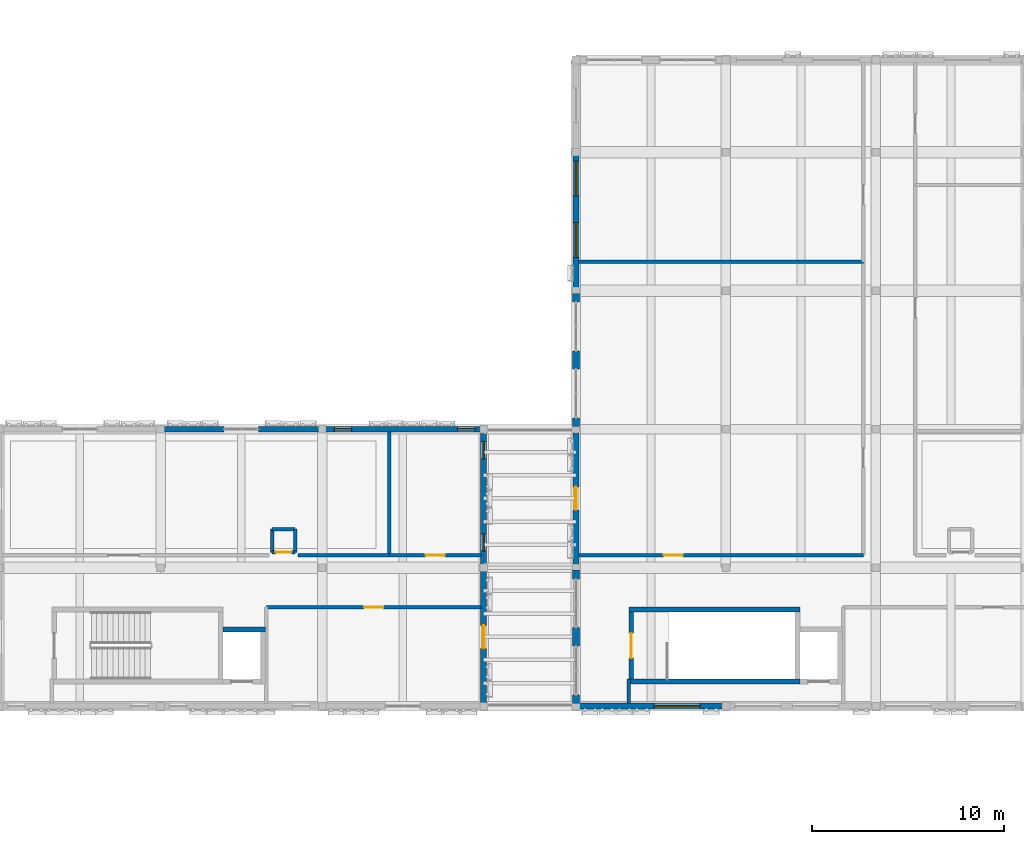
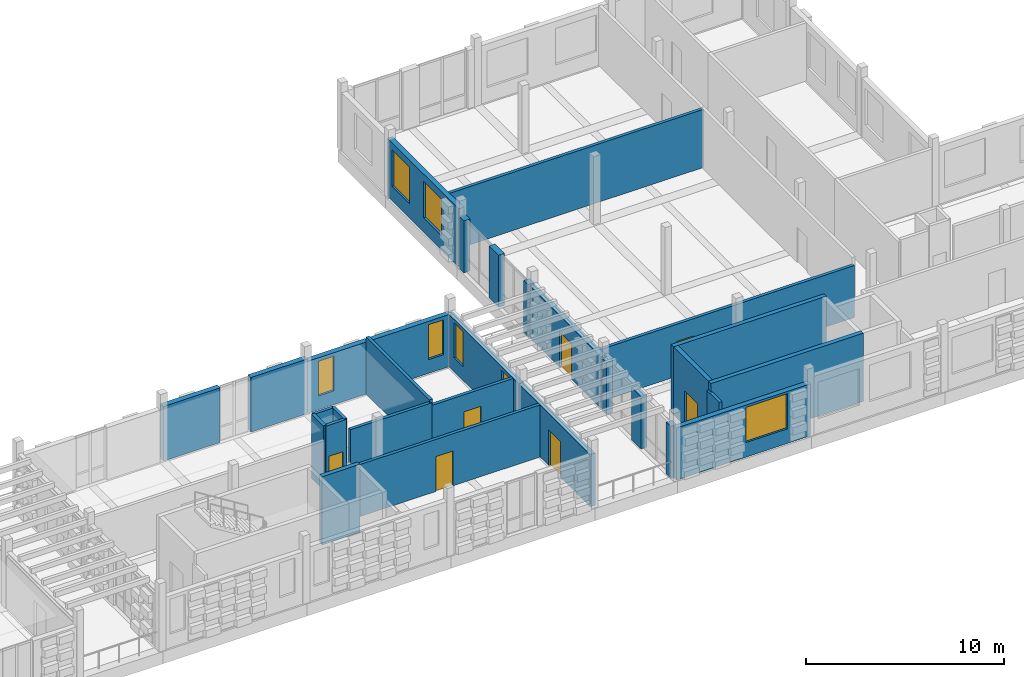
# One storey, part 68 of 99: 29 walls, 7 doors, 7 windows, 14 openings.
"""IFC4 building model written with IfcOpenShell, lengths in metres."""

from ifc_helpers import new_model, si_unit, direction, frame, frame_2d, origin, place, context, subcontext, project, spatial, rectangle, extrude, material, layer, layer_set, type_object, element, fill, save


model = new_model("IFC4")

# Units and contexts
model_context = context("Model", 3, precision=1e-05, world=origin(), true_north=direction((0.0, 1.0)))
body_context = subcontext(model_context, "Body", "Model", "MODEL_VIEW")
ifc_project = project(units=[si_unit("LENGTHUNIT", "METRE"), si_unit("AREAUNIT", "SQUARE_METRE"), si_unit("VOLUMEUNIT", "CUBIC_METRE"), si_unit("PLANEANGLEUNIT", "RADIAN"), si_unit("MASSUNIT", "GRAM", prefix="KILO")], contexts=[model_context])

# Site, building, storey
site_placement = place(None, origin())
site = spatial("IfcSite", under=ifc_project, at=site_placement, CompositionType="ELEMENT")
building_placement = place(site_placement, origin())
building = spatial("IfcBuilding", under=site, at=building_placement, Name="Kahlenmark Community Centre", CompositionType="ELEMENT")
storey_placement = place(building_placement, frame((0.0, 0.0, 5.39990234375)))
storey = spatial("IfcBuildingStorey", under=building, at=storey_placement, Name="L01", CompositionType="ELEMENT", Elevation=5.39990234375)

# Wall
ifc_material_1 = material(Name="Concrete C35/45", Category="concrete")
ifc_layer_1 = layer(ifc_material_1, 0.25)
ifc_layer_set_1 = layer_set([ifc_layer_1], Name="Concrete C35/45")
wall_type_1 = type_object("IfcWallType", Name="WT-CORE-250", PredefinedType="SHEAR", material=ifc_layer_set_1)
wall_1_placement = place(storey_placement, frame((103.25, 12.784912109375, 0.0), z_axis=(0.0, 0.0, 1.0), x_axis=(1.0, 0.0, 0.0)))
element("IfcWall", 1, at=wall_1_placement, inside=storey, type_object=wall_type_1, Name="Core K7 shear wall WL-CORE-K7-L01-0264", PredefinedType="SHEAR", context=body_context, shape_type="SweptSolid", body=[
    extrude(rectangle(XDim=2.2099609375, YDim=0.25, at=frame_2d((1.10498046875, 0.0))), origin(), (0.0, 0.0, 1.0), 4.2001953125),
])

# Wall, opening, door
wall_2_placement = place(storey_placement, frame((124.47509765625, 13.699951171875, 0.0), z_axis=(0.0, 0.0, 1.0), x_axis=(0.0, -1.0, 0.0)))
wall_2 = element("IfcWall", 2, at=wall_2_placement, inside=storey, type_object=wall_type_1, Name="Core K8 shear wall WL-CORE-K8-L01-0295", PredefinedType="SHEAR", context=body_context, shape_type="SweptSolid", body=[
    extrude(rectangle(XDim=3.5, YDim=0.25, at=frame_2d((1.75, 0.0))), origin(), (0.0, 0.0, 1.0), 4.2001953125),
])
opening_1_placement = place(wall_2_placement, frame((1.10009765625, 0.0, -0.010009765625)))
opening_1 = element("IfcOpeningElement", 3, at=opening_1_placement, cuts=wall_2, Name="Opening FD-K8-L01", PredefinedType="OPENING", context=body_context, shape_type="SweptSolid", body=[
    extrude(rectangle(XDim=1.300048828125, YDim=2.159912109375, at=frame_2d((0.64990234375, 1.080078125))), frame((0.0, 0.135009765625, 0.0), z_axis=(0.0, -1.0, 0.0), x_axis=(1.0, 0.0, 0.0)), (0.0, 0.0, 1.0), 0.27001953125),
])
ifc_material_2 = material(Name="Fire-rated steel-framed timber door FD60S", Category="steel")
door_type_1 = type_object("IfcDoorType", Name="DT-FD-K8-L01", OperationType="NOTDEFINED", PredefinedType="DOOR", material=ifc_material_2)
door_1_placement = place(opening_1_placement, frame((1.300048828125, 0.0, 0.010009765625), z_axis=(0.0, 0.0, 1.0), x_axis=(-1.0, 0.0, 0.0)))
door_1 = element("IfcDoor", 4, at=door_1_placement, inside=storey, type_object=door_type_1, Name="Core K8 stair fire door L01", OperationType="SINGLE_SWING_LEFT", OverallHeight=2.14990234375, OverallWidth=1.300048828125, PredefinedType="DOOR", context=body_context, shape_type="SweptSolid", body=[
    extrude(rectangle(XDim=1.300048828125, YDim=2.14990234375, at=frame_2d((0.64990234375, 1.074951171875))), frame((0.0, 0.02490234375, 0.0), z_axis=(0.0, -1.0, 0.0), x_axis=(1.0, 0.0, 0.0)), (0.0, 0.0, 1.0), 0.050048828125),
])
fill(opening_1, door_1)

# Walls
for number, where, z_axis, x_axis, name in (
    (5, (124.35009765625, 10.074951171875, 0.0), (0.0, 0.0, 1.0), (1.0, 0.0, 0.0), "Core K8 shear wall WL-CORE-K8-L01-0296"),
    (6, (124.35009765625, 13.824951171875, 0.0), (0.0, 0.0, 1.0), (1.0, 0.0, 0.0), "Core K8 shear wall WL-CORE-K8-L01-0297"),
):
    element("IfcWall", number, at=place(storey_placement, frame(where, z_axis=z_axis, x_axis=x_axis)), inside=storey, type_object=wall_type_1, Name=name, PredefinedType="SHEAR", context=body_context, shape_type="SweptSolid", body=[
        extrude(rectangle(XDim=8.89990234375, YDim=0.25, at=frame_2d((4.449951171875, 0.0))), origin(), (0.0, 0.0, 1.0), 4.2001953125),
    ])
ifc_material_3 = material(Name="Cross-laminated timber CLT C24", Category="wood")
ifc_layer_2 = layer(ifc_material_3, 0.300048828125)
ifc_layer_set_2 = layer_set([ifc_layer_2], Name="Cross-laminated timber CLT C24")
wall_type_2 = type_object("IfcWallType", Name="WT-EW-300", PredefinedType="SOLIDWALL", material=ifc_layer_set_2)
wall_3_placement = place(storey_placement, frame((108.39990234375, 23.199951171875, 0.0), z_axis=(0.0, 0.0, 1.0), x_axis=(-1.0, 0.0, 0.0)))
element("IfcWall", 7, at=wall_3_placement, inside=storey, type_object=wall_type_2, Name="Basketweave backup wall WL-EXT-L01-0374", PredefinedType="SOLIDWALL", context=body_context, shape_type="SweptSolid", body=[
    extrude(rectangle(XDim=3.2998046875, YDim=0.300048828125, at=frame_2d((1.64990234375, 0.0))), origin(), (0.0, 0.0, 1.0), 3.3701171875),
])
wall_4_placement = place(storey_placement, frame((103.300048828125, 23.199951171875, 0.0), z_axis=(0.0, 0.0, 1.0), x_axis=(-1.0, 0.0, 0.0)))
element("IfcWall", 8, at=wall_4_placement, inside=storey, type_object=wall_type_2, Name="Basketweave backup wall WL-EXT-L01-0375", PredefinedType="SOLIDWALL", context=body_context, shape_type="SweptSolid", body=[
    extrude(rectangle(XDim=3.300048828125, YDim=0.300048828125, at=frame_2d((1.64990234375, 0.0))), origin(), (0.0, 0.0, 1.0), 3.3701171875),
])

# Wall, openings, windows
wall_5_placement = place(storey_placement, frame((116.800048828125, 23.199951171875, 0.0), z_axis=(0.0, 0.0, 1.0), x_axis=(-1.0, 0.0, 0.0)))
wall_5 = element("IfcWall", 9, at=wall_5_placement, inside=storey, type_object=wall_type_2, Name="Exterior wall WL-EXT-L01-0376", PredefinedType="SOLIDWALL", context=body_context, shape_type="SweptSolid", body=[
    extrude(rectangle(XDim=8.400146484375, YDim=0.300048828125, at=frame_2d((4.2001953125, 0.0))), origin(), (0.0, 0.0, 1.0), 3.210205078125),
])
opening_2_placement = place(wall_5_placement, frame((0.4599609375, 0.0, 0.85009765625)))
opening_2 = element("IfcOpeningElement", 10, at=opening_2_placement, cuts=wall_5, Name="Opening W-090X215", PredefinedType="OPENING", context=body_context, shape_type="SweptSolid", body=[
    extrude(rectangle(XDim=0.89990234375, YDim=2.14990234375, at=frame_2d((0.449951171875, 1.074951171875))), frame((0.0, 0.159912109375, 0.0), z_axis=(0.0, -1.0, 0.0), x_axis=(1.0, 0.0, 0.0)), (0.0, 0.0, 1.0), 0.320068359375),
])
opening_3_placement = place(wall_5_placement, frame((6.860107421875, 0.0, 0.85009765625)))
opening_3 = element("IfcOpeningElement", 11, at=opening_3_placement, cuts=wall_5, Name="Opening W-090X215", PredefinedType="OPENING", context=body_context, shape_type="SweptSolid", body=[
    extrude(rectangle(XDim=0.89990234375, YDim=2.14990234375, at=frame_2d((0.449951171875, 1.074951171875))), frame((0.0, 0.159912109375, 0.0), z_axis=(0.0, -1.0, 0.0), x_axis=(1.0, 0.0, 0.0)), (0.0, 0.0, 1.0), 0.320068359375),
])
ifc_material_4 = material(Name="Recessed basketweave aperture triple glazing", Category="glass")
window_type_1 = type_object("IfcWindowType", Name="WNT-090X215", PartitioningType="SINGLE_PANEL", PredefinedType="WINDOW", material=ifc_material_4)
window_1_placement = place(opening_2_placement, origin())
window_1 = element("IfcWindow", 12, at=window_1_placement, inside=storey, type_object=window_type_1, Name="Window W-090X215 #0229", OverallHeight=2.14990234375, OverallWidth=0.89990234375, PartitioningType="SINGLE_PANEL", PredefinedType="WINDOW", context=body_context, shape_type="SweptSolid", body=[
    extrude(rectangle(XDim=0.89990234375, YDim=2.14990234375, at=frame_2d((0.449951171875, 1.074951171875))), frame((0.0, 0.030029296875, 0.0), z_axis=(0.0, -1.0, 0.0), x_axis=(1.0, 0.0, 0.0)), (0.0, 0.0, 1.0), 0.06005859375),
])
fill(opening_2, window_1)
window_2_placement = place(opening_3_placement, origin())
window_2 = element("IfcWindow", 13, at=window_2_placement, inside=storey, type_object=window_type_1, Name="Window W-090X215 #0230", OverallHeight=2.14990234375, OverallWidth=0.89990234375, PartitioningType="SINGLE_PANEL", PredefinedType="WINDOW", context=body_context, shape_type="SweptSolid", body=[
    extrude(rectangle(XDim=0.89990234375, YDim=2.14990234375, at=frame_2d((0.449951171875, 1.074951171875))), frame((0.0, 0.030029296875, 0.0), z_axis=(0.0, -1.0, 0.0), x_axis=(1.0, 0.0, 0.0)), (0.0, 0.0, 1.0), 0.06005859375),
])
fill(opening_3, window_2)

# Wall, opening, door
wall_6_placement = place(storey_placement, frame((116.800048828125, 8.800048828125, 0.0), z_axis=(0.0, 0.0, 1.0), x_axis=(0.0, 1.0, 0.0)))
wall_6 = element("IfcWall", 14, at=wall_6_placement, inside=storey, type_object=wall_type_2, Name="Exterior wall WL-EXT-L01-0380", PredefinedType="SOLIDWALL", context=body_context, shape_type="SweptSolid", body=[
    extrude(rectangle(XDim=7.199951171875, YDim=0.300048828125, at=frame_2d((3.60009765625, 0.0))), origin(), (0.0, 0.0, 1.0), 3.210205078125),
])
opening_4_placement = place(wall_6_placement, frame((3.0, 0.0, -0.010009765625)))
opening_4 = element("IfcOpeningElement", 15, at=opening_4_placement, cuts=wall_6, Name="Opening D-TER05", PredefinedType="OPENING", context=body_context, shape_type="SweptSolid", body=[
    extrude(rectangle(XDim=1.199951171875, YDim=2.2099609375, at=frame_2d((0.60009765625, 1.10498046875))), frame((0.0, 0.159912109375, 0.0), z_axis=(0.0, -1.0, 0.0), x_axis=(1.0, 0.0, 0.0)), (0.0, 0.0, 1.0), 0.320068359375),
])
ifc_material_5 = material(Name="Thermally broken glazed aluminium terrace door", Category="aluminium")
door_type_2 = type_object("IfcDoorType", Name="DT-EXT-120X220", OperationType="NOTDEFINED", PredefinedType="DOOR", material=ifc_material_5)
door_2_placement = place(opening_4_placement, frame((0.0, 0.0, 0.010009765625)))
door_2 = element("IfcDoor", 16, at=door_2_placement, inside=storey, type_object=door_type_2, Name="Exterior door D-TER05", OperationType="SINGLE_SWING_RIGHT", OverallHeight=2.199951171875, OverallWidth=1.199951171875, PredefinedType="DOOR", context=body_context, shape_type="SweptSolid", body=[
    extrude(rectangle(XDim=1.199951171875, YDim=2.199951171875, at=frame_2d((0.60009765625, 1.10009765625))), frame((0.0, 0.02490234375, 0.0), z_axis=(0.0, -1.0, 0.0), x_axis=(1.0, 0.0, 0.0)), (0.0, 0.0, 1.0), 0.050048828125),
])
fill(opening_4, door_2)

# Wall, openings, windows
wall_7_placement = place(storey_placement, frame((116.800048828125, 16.0, 0.0), z_axis=(0.0, 0.0, 1.0), x_axis=(0.0, 1.0, 0.0)))
wall_7 = element("IfcWall", 17, at=wall_7_placement, inside=storey, type_object=wall_type_2, Name="Exterior wall WL-EXT-L01-0381", PredefinedType="SOLIDWALL", context=body_context, shape_type="SweptSolid", body=[
    extrude(rectangle(XDim=7.199951171875, YDim=0.300048828125, at=frame_2d((3.60009765625, 0.0))), origin(), (0.0, 0.0, 1.0), 3.210205078125),
])
opening_5_placement = place(wall_7_placement, frame((0.860107421875, 0.0, 0.85009765625)))
opening_5 = element("IfcOpeningElement", 18, at=opening_5_placement, cuts=wall_7, Name="Opening W-090X215", PredefinedType="OPENING", context=body_context, shape_type="SweptSolid", body=[
    extrude(rectangle(XDim=0.89990234375, YDim=2.14990234375, at=frame_2d((0.449951171875, 1.074951171875))), frame((0.0, 0.159912109375, 0.0), z_axis=(0.0, -1.0, 0.0), x_axis=(1.0, 0.0, 0.0)), (0.0, 0.0, 1.0), 0.320068359375),
])
opening_6_placement = place(wall_7_placement, frame((5.659912109375, 0.0, 0.85009765625)))
opening_6 = element("IfcOpeningElement", 19, at=opening_6_placement, cuts=wall_7, Name="Opening W-090X215", PredefinedType="OPENING", context=body_context, shape_type="SweptSolid", body=[
    extrude(rectangle(XDim=0.89990234375, YDim=2.14990234375, at=frame_2d((0.449951171875, 1.074951171875))), frame((0.0, 0.159912109375, 0.0), z_axis=(0.0, -1.0, 0.0), x_axis=(1.0, 0.0, 0.0)), (0.0, 0.0, 1.0), 0.320068359375),
])
window_3_placement = place(opening_5_placement, origin())
window_3 = element("IfcWindow", 20, at=window_3_placement, inside=storey, type_object=window_type_1, Name="Window W-090X215 #0231", OverallHeight=2.14990234375, OverallWidth=0.89990234375, PartitioningType="SINGLE_PANEL", PredefinedType="WINDOW", context=body_context, shape_type="SweptSolid", body=[
    extrude(rectangle(XDim=0.89990234375, YDim=2.14990234375, at=frame_2d((0.449951171875, 1.074951171875))), frame((0.0, 0.030029296875, 0.0), z_axis=(0.0, -1.0, 0.0), x_axis=(1.0, 0.0, 0.0)), (0.0, 0.0, 1.0), 0.06005859375),
])
fill(opening_5, window_3)
window_4_placement = place(opening_6_placement, origin())
window_4 = element("IfcWindow", 21, at=window_4_placement, inside=storey, type_object=window_type_1, Name="Window W-090X215 #0232", OverallHeight=2.14990234375, OverallWidth=0.89990234375, PartitioningType="SINGLE_PANEL", PredefinedType="WINDOW", context=body_context, shape_type="SweptSolid", body=[
    extrude(rectangle(XDim=0.89990234375, YDim=2.14990234375, at=frame_2d((0.449951171875, 1.074951171875))), frame((0.0, 0.030029296875, 0.0), z_axis=(0.0, -1.0, 0.0), x_axis=(1.0, 0.0, 0.0)), (0.0, 0.0, 1.0), 0.06005859375),
])
fill(opening_6, window_4)

# Wall, opening, window
wall_8_placement = place(storey_placement, frame((121.60009765625, 8.800048828125, 0.0), z_axis=(0.0, 0.0, 1.0), x_axis=(1.0, 0.0, 0.0)))
wall_8 = element("IfcWall", 22, at=wall_8_placement, inside=storey, type_object=wall_type_2, Name="Exterior wall WL-EXT-L01-0382", PredefinedType="SOLIDWALL", context=body_context, shape_type="SweptSolid", body=[
    extrude(rectangle(XDim=7.7998046875, YDim=0.300048828125, at=frame_2d((3.89990234375, 0.0))), origin(), (0.0, 0.0, 1.0), 3.210205078125),
])
opening_7_placement = place(wall_8_placement, frame((4.06005859375, 0.0, 0.89990234375)))
opening_7 = element("IfcOpeningElement", 23, at=opening_7_placement, cuts=wall_8, Name="Opening W-240X217", PredefinedType="OPENING", context=body_context, shape_type="SweptSolid", body=[
    extrude(rectangle(XDim=2.39990234375, YDim=2.169921875, at=frame_2d((1.199951171875, 1.0849609375))), frame((0.0, 0.159912109375, 0.0), z_axis=(0.0, -1.0, 0.0), x_axis=(1.0, 0.0, 0.0)), (0.0, 0.0, 1.0), 0.320068359375),
])
ifc_material_6 = material(Name="Triple low-e insulated glazing in timber-aluminium frame", Category="wood")
window_type_2 = type_object("IfcWindowType", Name="WNT-240X217", PartitioningType="TRIPLE_PANEL_VERTICAL", PredefinedType="WINDOW", material=ifc_material_6)
window_5_placement = place(opening_7_placement, origin())
window_5 = element("IfcWindow", 24, at=window_5_placement, inside=storey, type_object=window_type_2, Name="Window W-240X217 #0233", OverallHeight=2.169921875, OverallWidth=2.39990234375, PartitioningType="TRIPLE_PANEL_VERTICAL", PredefinedType="WINDOW", context=body_context, shape_type="SweptSolid", body=[
    extrude(rectangle(XDim=2.39990234375, YDim=2.169921875, at=frame_2d((1.199951171875, 1.0849609375))), frame((0.0, 0.030029296875, 0.0), z_axis=(0.0, -1.0, 0.0), x_axis=(1.0, 0.0, 0.0)), (0.0, 0.0, 1.0), 0.06005859375),
])
fill(opening_7, window_5)

# Wall, opening, door
wall_9_placement = place(storey_placement, frame((121.60009765625, 23.199951171875, 0.0), z_axis=(0.0, 0.0, 1.0), x_axis=(0.0, -1.0, 0.0)))
wall_9 = element("IfcWall", 25, at=wall_9_placement, inside=storey, type_object=wall_type_2, Name="Exterior wall WL-EXT-L01-0396", PredefinedType="SOLIDWALL", context=body_context, shape_type="SweptSolid", body=[
    extrude(rectangle(XDim=7.199951171875, YDim=0.300048828125, at=frame_2d((3.60009765625, 0.0))), origin(), (0.0, 0.0, 1.0), 3.210205078125),
])
opening_8_placement = place(wall_9_placement, frame((3.0, 0.0, -0.010009765625)))
opening_8 = element("IfcOpeningElement", 26, at=opening_8_placement, cuts=wall_9, Name="Opening D-TER06", PredefinedType="OPENING", context=body_context, shape_type="SweptSolid", body=[
    extrude(rectangle(XDim=1.199951171875, YDim=2.2099609375, at=frame_2d((0.60009765625, 1.10498046875))), frame((0.0, 0.159912109375, 0.0), z_axis=(0.0, -1.0, 0.0), x_axis=(1.0, 0.0, 0.0)), (0.0, 0.0, 1.0), 0.320068359375),
])
door_3_placement = place(opening_8_placement, frame((0.0, 0.0, 0.010009765625)))
door_3 = element("IfcDoor", 27, at=door_3_placement, inside=storey, type_object=door_type_2, Name="Exterior door D-TER06", OperationType="SINGLE_SWING_LEFT", OverallHeight=2.199951171875, OverallWidth=1.199951171875, PredefinedType="DOOR", context=body_context, shape_type="SweptSolid", body=[
    extrude(rectangle(XDim=1.199951171875, YDim=2.199951171875, at=frame_2d((0.60009765625, 1.10009765625))), frame((0.0, 0.02490234375, 0.0), z_axis=(0.0, -1.0, 0.0), x_axis=(1.0, 0.0, 0.0)), (0.0, 0.0, 1.0), 0.050048828125),
])
fill(opening_8, door_3)

# Wall, openings, windows
wall_10_placement = place(storey_placement, frame((121.60009765625, 37.60009765625, 0.0), z_axis=(0.0, 0.0, 1.0), x_axis=(0.0, -1.0, 0.0)))
wall_10 = element("IfcWall", 28, at=wall_10_placement, inside=storey, type_object=wall_type_2, Name="Exterior wall WL-EXT-L01-0407", PredefinedType="SOLIDWALL", context=body_context, shape_type="SweptSolid", body=[
    extrude(rectangle(XDim=7.2001953125, YDim=0.300048828125, at=frame_2d((3.60009765625, 0.0))), origin(), (0.0, 0.0, 1.0), 3.590087890625),
])
opening_9_placement = place(wall_10_placement, frame((0.4599609375, 0.0, 0.89990234375)))
opening_9 = element("IfcOpeningElement", 29, at=opening_9_placement, cuts=wall_10, Name="Opening W-180X225", PredefinedType="OPENING", context=body_context, shape_type="SweptSolid", body=[
    extrude(rectangle(XDim=1.800048828125, YDim=2.25, at=frame_2d((0.89990234375, 1.125))), frame((0.0, 0.159912109375, 0.0), z_axis=(0.0, -1.0, 0.0), x_axis=(1.0, 0.0, 0.0)), (0.0, 0.0, 1.0), 0.320068359375),
])
opening_10_placement = place(wall_10_placement, frame((3.659912109375, 0.0, 0.89990234375)))
opening_10 = element("IfcOpeningElement", 30, at=opening_10_placement, cuts=wall_10, Name="Opening W-180X225", PredefinedType="OPENING", context=body_context, shape_type="SweptSolid", body=[
    extrude(rectangle(XDim=1.800048828125, YDim=2.25, at=frame_2d((0.89990234375, 1.125))), frame((0.0, 0.159912109375, 0.0), z_axis=(0.0, -1.0, 0.0), x_axis=(1.0, 0.0, 0.0)), (0.0, 0.0, 1.0), 0.320068359375),
])
window_type_3 = type_object("IfcWindowType", Name="WNT-180X225", PartitioningType="DOUBLE_PANEL_VERTICAL", PredefinedType="WINDOW", material=ifc_material_6)
window_6_placement = place(opening_9_placement, origin())
window_6 = element("IfcWindow", 31, at=window_6_placement, inside=storey, type_object=window_type_3, Name="Window W-180X225 #0255", OverallHeight=2.25, OverallWidth=1.800048828125, PartitioningType="DOUBLE_PANEL_VERTICAL", PredefinedType="WINDOW", context=body_context, shape_type="SweptSolid", body=[
    extrude(rectangle(XDim=1.800048828125, YDim=2.25, at=frame_2d((0.89990234375, 1.125))), frame((0.0, 0.030029296875, 0.0), z_axis=(0.0, -1.0, 0.0), x_axis=(1.0, 0.0, 0.0)), (0.0, 0.0, 1.0), 0.06005859375),
])
fill(opening_9, window_6)
window_7_placement = place(opening_10_placement, origin())
window_7 = element("IfcWindow", 32, at=window_7_placement, inside=storey, type_object=window_type_3, Name="Window W-180X225 #0256", OverallHeight=2.25, OverallWidth=1.800048828125, PartitioningType="DOUBLE_PANEL_VERTICAL", PredefinedType="WINDOW", context=body_context, shape_type="SweptSolid", body=[
    extrude(rectangle(XDim=1.800048828125, YDim=2.25, at=frame_2d((0.89990234375, 1.125))), frame((0.0, 0.030029296875, 0.0), z_axis=(0.0, -1.0, 0.0), x_axis=(1.0, 0.0, 0.0)), (0.0, 0.0, 1.0), 0.06005859375),
])
fill(opening_10, window_7)

# Walls
ifc_material_7 = material(Name="Danube limestone masonry", Category="masonry")
ifc_layer_3 = layer(ifc_material_7, 0.360107421875)
ifc_layer_set_3 = layer_set([ifc_layer_3], Name="Danube limestone masonry")
wall_type_3 = type_object("IfcWallType", Name="WT-EW-360", PredefinedType="SOLIDWALL", material=ifc_layer_set_3)
wall_11_placement = place(storey_placement, frame((121.60009765625, 12.8798828125, 0.0), z_axis=(0.0, 0.0, 1.0), x_axis=(0.0, -1.0, 0.0)))
element("IfcWall", 33, at=wall_11_placement, inside=storey, type_object=wall_type_3, Name="Postmodern limestone pier 0393", PredefinedType="SOLIDWALL", context=body_context, shape_type="SweptSolid", body=[
    extrude(rectangle(XDim=0.9599609375, YDim=0.360107421875, at=frame_2d((0.47998046875, 0.0))), origin(), (0.0, 0.0, 1.0), 3.210205078125),
])
wall_12_placement = place(storey_placement, frame((121.60009765625, 15.8701171875, 0.0), z_axis=(0.0, 0.0, 1.0), x_axis=(0.0, -1.0, 0.0)))
element("IfcWall", 34, at=wall_12_placement, inside=storey, type_object=wall_type_3, Name="Column closure pier 0394", PredefinedType="SOLIDWALL", context=body_context, shape_type="SweptSolid", body=[
    extrude(rectangle(XDim=0.4501953125, YDim=0.360107421875, at=frame_2d((0.22509765625, 0.0))), origin(), (0.0, 0.0, 1.0), 3.210205078125),
])
wall_13_placement = place(storey_placement, frame((121.60009765625, 9.3798828125, 0.0), z_axis=(0.0, 0.0, 1.0), x_axis=(0.0, -1.0, 0.0)))
element("IfcWall", 35, at=wall_13_placement, inside=storey, type_object=wall_type_3, Name="Column closure pier 0395", PredefinedType="SOLIDWALL", context=body_context, shape_type="SweptSolid", body=[
    extrude(rectangle(XDim=0.449951171875, YDim=0.360107421875, at=frame_2d((0.22509765625, 0.0))), origin(), (0.0, 0.0, 1.0), 3.210205078125),
])
wall_14_placement = place(storey_placement, frame((121.60009765625, 27.280029296875, 0.0), z_axis=(0.0, 0.0, 1.0), x_axis=(0.0, -1.0, 0.0)))
element("IfcWall", 36, at=wall_14_placement, inside=storey, type_object=wall_type_3, Name="Postmodern limestone pier 0404", PredefinedType="SOLIDWALL", context=body_context, shape_type="SweptSolid", body=[
    extrude(rectangle(XDim=0.9599609375, YDim=0.360107421875, at=frame_2d((0.47998046875, 0.0))), origin(), (0.0, 0.0, 1.0), 3.210205078125),
])
for number, where, z_axis, x_axis, name in (
    (37, (121.60009765625, 30.27001953125, 0.0), (0.0, 0.0, 1.0), (0.0, -1.0, 0.0), "Column closure pier 0405"),
    (38, (121.60009765625, 23.780029296875, 0.0), (0.0, 0.0, 1.0), (0.0, -1.0, 0.0), "Column closure pier 0406"),
):
    element("IfcWall", number, at=place(storey_placement, frame(where, z_axis=z_axis, x_axis=x_axis)), inside=storey, type_object=wall_type_3, Name=name, PredefinedType="SOLIDWALL", context=body_context, shape_type="SweptSolid", body=[
        extrude(rectangle(XDim=0.449951171875, YDim=0.360107421875, at=frame_2d((0.22509765625, 0.0))), origin(), (0.0, 0.0, 1.0), 3.210205078125),
    ])

# Wall, opening, door
ifc_material_8 = material(Name="Gypsum plasterboard partition", Category="gypsum")
ifc_layer_4 = layer(ifc_material_8, 0.179931640625)
ifc_layer_set_4 = layer_set([ifc_layer_4], Name="Gypsum plasterboard partition")
wall_type_4 = type_object("IfcWallType", Name="WT-PW-180", PredefinedType="PARTITIONING", material=ifc_layer_set_4)
wall_15_placement = place(storey_placement, frame((105.5, 13.949951171875, 0.0), z_axis=(0.0, 0.0, 1.0), x_axis=(1.0, 0.0, 0.0)))
wall_15 = element("IfcWall", 39, at=wall_15_placement, inside=storey, type_object=wall_type_4, Name="Interior partition WL-INT-L01-0115", PredefinedType="PARTITIONING", context=body_context, shape_type="SweptSolid", body=[
    extrude(rectangle(XDim=11.159912109375, YDim=0.179931640625, at=frame_2d((5.580078125, 0.0))), origin(), (0.0, 0.0, 1.0), 3.210205078125),
])
opening_11_placement = place(wall_15_placement, frame((5.080078125, 0.0, -0.010009765625)))
opening_11 = element("IfcOpeningElement", 40, at=opening_11_placement, cuts=wall_15, Name="Opening D-L01-069", PredefinedType="OPENING", context=body_context, shape_type="SweptSolid", body=[
    extrude(rectangle(XDim=1.0, YDim=2.159912109375, at=frame_2d((0.5, 1.080078125))), frame((0.0, 0.099853515625, 0.0), z_axis=(0.0, -1.0, 0.0), x_axis=(1.0, 0.0, 0.0)), (0.0, 0.0, 1.0), 0.199951171875),
])
ifc_material_9 = material(Name="Oak timber veneer door leaf", Category="wood")
door_type_3 = type_object("IfcDoorType", Name="DT-INT-100X215", OperationType="NOTDEFINED", PredefinedType="DOOR", material=ifc_material_9)
door_4_placement = place(opening_11_placement, frame((1.0, 0.0, 0.010009765625), z_axis=(0.0, 0.0, 1.0), x_axis=(-1.0, 0.0, 0.0)))
door_4 = element("IfcDoor", 41, at=door_4_placement, inside=storey, type_object=door_type_3, Name="Interior door D-L01-069", OperationType="SINGLE_SWING_RIGHT", OverallHeight=2.14990234375, OverallWidth=1.0, PredefinedType="DOOR", context=body_context, shape_type="SweptSolid", body=[
    extrude(rectangle(XDim=1.0, YDim=2.14990234375, at=frame_2d((0.5, 1.074951171875))), frame((0.0, 0.02490234375, 0.0), z_axis=(0.0, -1.0, 0.0), x_axis=(1.0, 0.0, 0.0)), (0.0, 0.0, 1.0), 0.050048828125),
])
fill(opening_11, door_4)

# Wall
wall_16_placement = place(storey_placement, frame((107.14990234375, 16.64990234375, 0.0), z_axis=(0.0, 0.0, 1.0), x_axis=(1.0, 0.0, 0.0)))
element("IfcWall", 42, at=wall_16_placement, inside=storey, type_object=wall_type_4, Name="Interior partition WL-INT-L01-0117", PredefinedType="PARTITIONING", context=body_context, shape_type="SweptSolid", body=[
    extrude(rectangle(XDim=4.75, YDim=0.179931640625, at=frame_2d((2.375, 0.0))), origin(), (0.0, 0.0, 1.0), 3.3701171875),
])

# Wall, opening, door
wall_17_placement = place(storey_placement, frame((111.89990234375, 16.64990234375, 0.0), z_axis=(0.0, 0.0, 1.0), x_axis=(1.0, 0.0, 0.0)))
wall_17 = element("IfcWall", 43, at=wall_17_placement, inside=storey, type_object=wall_type_4, Name="Interior partition WL-INT-L01-0118", PredefinedType="PARTITIONING", context=body_context, shape_type="SweptSolid", body=[
    extrude(rectangle(XDim=4.760009765625, YDim=0.179931640625, at=frame_2d((2.3798828125, 0.0))), origin(), (0.0, 0.0, 1.0), 3.210205078125),
])
opening_12_placement = place(wall_17_placement, frame((1.8798828125, 0.0, -0.010009765625)))
opening_12 = element("IfcOpeningElement", 44, at=opening_12_placement, cuts=wall_17, Name="Opening D-L01-071", PredefinedType="OPENING", context=body_context, shape_type="SweptSolid", body=[
    extrude(rectangle(XDim=1.0, YDim=2.159912109375, at=frame_2d((0.5, 1.080078125))), frame((0.0, 0.099853515625, 0.0), z_axis=(0.0, -1.0, 0.0), x_axis=(1.0, 0.0, 0.0)), (0.0, 0.0, 1.0), 0.199951171875),
])
door_5_placement = place(opening_12_placement, frame((0.0, 0.0, 0.010009765625)))
door_5 = element("IfcDoor", 45, at=door_5_placement, inside=storey, type_object=door_type_3, Name="Interior door D-L01-071", OperationType="SINGLE_SWING_RIGHT", OverallHeight=2.14990234375, OverallWidth=1.0, PredefinedType="DOOR", context=body_context, shape_type="SweptSolid", body=[
    extrude(rectangle(XDim=1.0, YDim=2.14990234375, at=frame_2d((0.5, 1.074951171875))), frame((0.0, 0.02490234375, 0.0), z_axis=(0.0, -1.0, 0.0), x_axis=(1.0, 0.0, 0.0)), (0.0, 0.0, 1.0), 0.050048828125),
])
fill(opening_12, door_5)

# Walls
wall_18_placement = place(storey_placement, frame((111.89990234375, 16.64990234375, 0.0), z_axis=(0.0, 0.0, 1.0), x_axis=(0.0, 1.0, 0.0)))
element("IfcWall", 46, at=wall_18_placement, inside=storey, type_object=wall_type_4, Name="Interior partition WL-INT-L01-0119", PredefinedType="PARTITIONING", context=body_context, shape_type="SweptSolid", body=[
    extrude(rectangle(XDim=6.41015625, YDim=0.179931640625, at=frame_2d((3.205078125, 0.0))), origin(), (0.0, 0.0, 1.0), 3.52001953125),
])
wall_19_placement = place(storey_placement, frame((124.35009765625, 8.9599609375, 0.0), z_axis=(0.0, 0.0, 1.0), x_axis=(0.0, 1.0, 0.0)))
element("IfcWall", 47, at=wall_19_placement, inside=storey, type_object=wall_type_4, Name="Interior partition WL-INT-L01-0120", PredefinedType="PARTITIONING", context=body_context, shape_type="SweptSolid", body=[
    extrude(rectangle(XDim=1.239990234375, YDim=0.179931640625, at=frame_2d((0.6201171875, 0.0))), origin(), (0.0, 0.0, 1.0), 3.670166015625),
])

# Wall, opening, door
wall_20_placement = place(storey_placement, frame((121.739990234375, 16.64990234375, 0.0), z_axis=(0.0, 0.0, 1.0), x_axis=(1.0, 0.0, 0.0)))
wall_20 = element("IfcWall", 48, at=wall_20_placement, inside=storey, type_object=wall_type_4, Name="Interior partition WL-INT-L01-0125", PredefinedType="PARTITIONING", context=body_context, shape_type="SweptSolid", body=[
    extrude(rectangle(XDim=14.81005859375, YDim=0.179931640625, at=frame_2d((7.405029296875, 0.0))), origin(), (0.0, 0.0, 1.0), 3.210205078125),
])
opening_13_placement = place(wall_20_placement, frame((4.4189453125, 0.0, -0.010009765625)))
opening_13 = element("IfcOpeningElement", 49, at=opening_13_placement, cuts=wall_20, Name="Opening D-L01-074", PredefinedType="OPENING", context=body_context, shape_type="SweptSolid", body=[
    extrude(rectangle(XDim=1.0, YDim=2.159912109375, at=frame_2d((0.5, 1.080078125))), frame((0.0, 0.099853515625, 0.0), z_axis=(0.0, -1.0, 0.0), x_axis=(1.0, 0.0, 0.0)), (0.0, 0.0, 1.0), 0.199951171875),
])
door_6_placement = place(opening_13_placement, frame((0.0, 0.0, 0.010009765625)))
door_6 = element("IfcDoor", 50, at=door_6_placement, inside=storey, type_object=door_type_3, Name="Interior door D-L01-074", OperationType="SINGLE_SWING_LEFT", OverallHeight=2.14990234375, OverallWidth=1.0, PredefinedType="DOOR", context=body_context, shape_type="SweptSolid", body=[
    extrude(rectangle(XDim=1.0, YDim=2.14990234375, at=frame_2d((0.5, 1.074951171875))), frame((0.0, 0.02490234375, 0.0), z_axis=(0.0, -1.0, 0.0), x_axis=(1.0, 0.0, 0.0)), (0.0, 0.0, 1.0), 0.050048828125),
])
fill(opening_13, door_6)

# Wall
wall_21_placement = place(storey_placement, frame((121.739990234375, 31.89990234375, 0.0), z_axis=(0.0, 0.0, 1.0), x_axis=(1.0, 0.0, 0.0)))
element("IfcWall", 51, at=wall_21_placement, inside=storey, type_object=wall_type_4, Name="Interior partition WL-INT-L01-0128", PredefinedType="PARTITIONING", context=body_context, shape_type="SweptSolid", body=[
    extrude(rectangle(XDim=14.81005859375, YDim=0.179931640625, at=frame_2d((7.405029296875, 0.0))), origin(), (0.0, 0.0, 1.0), 3.590087890625),
])

# Wall, opening, door
ifc_material_10 = material(Name="Masonry blockwork", Category="masonry")
ifc_layer_5 = layer(ifc_material_10, 0.179931640625)
ifc_layer_set_5 = layer_set([ifc_layer_5], Name="Masonry blockwork")
wall_type_5 = type_object("IfcWallType", Name="WT-RISER-180", PredefinedType="SOLIDWALL", material=ifc_layer_set_5)
wall_22_placement = place(storey_placement, frame((105.800048828125, 16.800048828125, 0.0), z_axis=(0.0, 0.0, 1.0), x_axis=(1.0, 0.0, 0.0)))
wall_22 = element("IfcWall", 52, at=wall_22_placement, inside=storey, type_object=wall_type_5, Name="Riser RS-04 shaft wall L01.1", PredefinedType="SOLIDWALL", context=body_context, shape_type="SweptSolid", body=[
    extrude(rectangle(XDim=1.199951171875, YDim=0.179931640625, at=frame_2d((0.60009765625, 0.0))), origin(), (0.0, 0.0, 1.0), 3.97021484375),
])
opening_14_placement = place(wall_22_placement, frame((0.199951171875, 0.0, -0.010009765625)))
opening_14 = element("IfcOpeningElement", 53, at=opening_14_placement, cuts=wall_22, Name="Opening FD-RS80", PredefinedType="OPENING", context=body_context, shape_type="SweptSolid", body=[
    extrude(rectangle(XDim=0.800048828125, YDim=2.06005859375, at=frame_2d((0.39990234375, 1.030029296875))), frame((0.0, 0.099853515625, 0.0), z_axis=(0.0, -1.0, 0.0), x_axis=(1.0, 0.0, 0.0)), (0.0, 0.0, 1.0), 0.199951171875),
])
ifc_material_11 = material(Name="Fire-rated steel service riser door FD60S", Category="steel")
door_type_4 = type_object("IfcDoorType", Name="DT-RISER-80X205", OperationType="NOTDEFINED", PredefinedType="DOOR", material=ifc_material_11)
door_7_placement = place(opening_14_placement, frame((0.0, 0.0, 0.010009765625)))
door_7 = element("IfcDoor", 54, at=door_7_placement, inside=storey, type_object=door_type_4, Name="Riser RS-04 access door L01", OperationType="SINGLE_SWING_LEFT", OverallHeight=2.050048828125, OverallWidth=0.800048828125, PredefinedType="DOOR", context=body_context, shape_type="SweptSolid", body=[
    extrude(rectangle(XDim=0.800048828125, YDim=2.050048828125, at=frame_2d((0.39990234375, 1.02490234375))), frame((0.0, 0.02490234375, 0.0), z_axis=(0.0, -1.0, 0.0), x_axis=(1.0, 0.0, 0.0)), (0.0, 0.0, 1.0), 0.050048828125),
])
fill(opening_14, door_7)

# Walls
for number, where, z_axis, x_axis, name in (
    (55, (107.0, 16.800048828125, 0.0), (0.0, 0.0, 1.0), (0.0, 1.0, 0.0), "Riser RS-04 shaft wall L01.2"),
    (56, (107.0, 18.0, 0.0), (0.0, 0.0, 1.0), (-1.0, 0.0, 0.0), "Riser RS-04 shaft wall L01.3"),
    (57, (105.800048828125, 18.0, 0.0), (0.0, 0.0, 1.0), (0.0, -1.0, 0.0), "Riser RS-04 shaft wall L01.4"),
):
    element("IfcWall", number, at=place(storey_placement, frame(where, z_axis=z_axis, x_axis=x_axis)), inside=storey, type_object=wall_type_5, Name=name, PredefinedType="SOLIDWALL", context=body_context, shape_type="SweptSolid", body=[
        extrude(rectangle(XDim=1.199951171875, YDim=0.179931640625, at=frame_2d((0.60009765625, 0.0))), origin(), (0.0, 0.0, 1.0), 3.97021484375),
    ])

save(model, "model.ifc")
